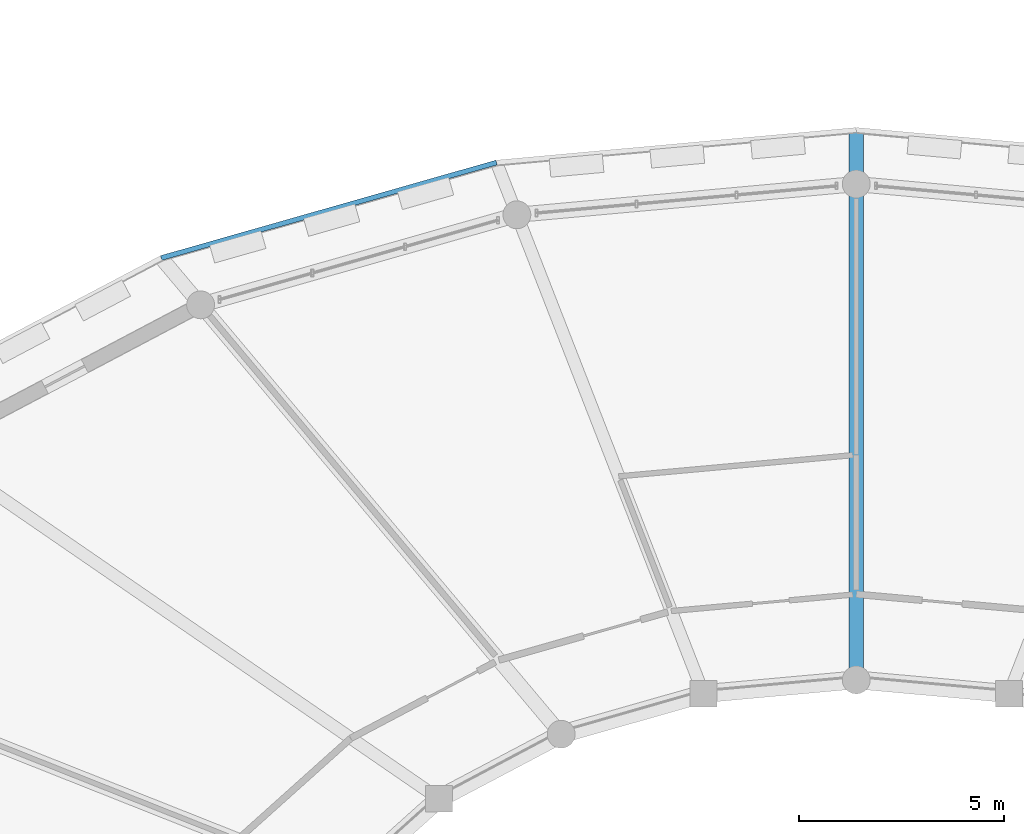
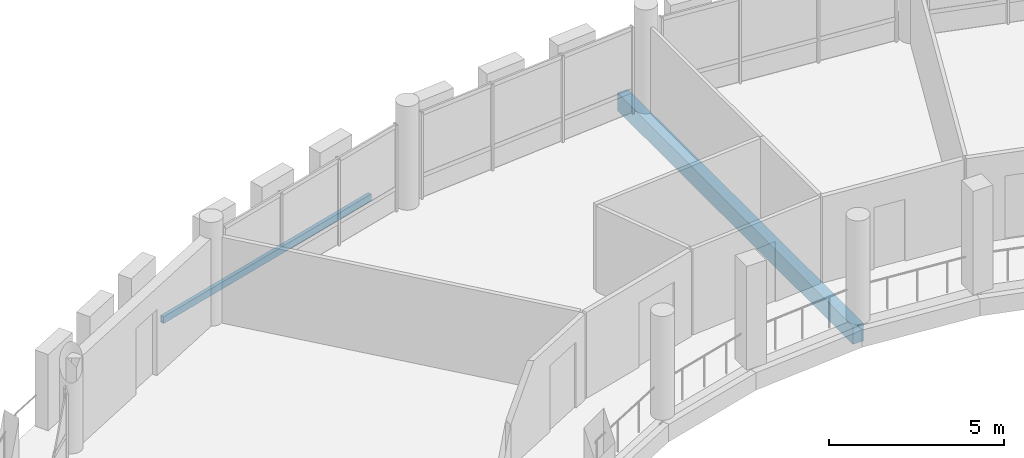
# One storey, part 69 of 128: 2 beams.
"""IFC4 building model written with IfcOpenShell, lengths in metres."""

from ifc_helpers import new_model, si_unit, direction, frame, origin, origin_2d, place, context, subcontext, project, spatial, rectangle, hollow_rectangle, extrude, material, material_profile, profile_set, type_object, element, save


model = new_model("IFC4")

# Units and contexts
model_context = context("Model", 3, precision=1e-05, world=origin(), true_north=direction((0.0, 1.0)))
body_context = subcontext(model_context, "Body", "Model", "MODEL_VIEW")
ifc_project = project(units=[si_unit("LENGTHUNIT", "METRE"), si_unit("AREAUNIT", "SQUARE_METRE"), si_unit("VOLUMEUNIT", "CUBIC_METRE"), si_unit("PLANEANGLEUNIT", "RADIAN"), si_unit("MASSUNIT", "GRAM", prefix="KILO")], contexts=[model_context])

# Site, building, storey
site_placement = place(None, origin())
site = spatial("IfcSite", under=ifc_project, at=site_placement, CompositionType="ELEMENT")
building_placement = place(site_placement, origin())
building = spatial("IfcBuilding", under=site, at=building_placement, Name="Zornivar Specialist Clinic", CompositionType="ELEMENT")
storey_placement = place(building_placement, frame((0.0, 0.0, 4.5)))
storey = spatial("IfcBuildingStorey", under=building, at=storey_placement, Name="L01", CompositionType="ELEMENT", Elevation=4.5)

# Beams
ifc_material_1 = material(Name="Concrete C30/37", Category="concrete")
ifc_material_profile_1 = material_profile(ifc_material_1, rectangle(XDim=0.35009765625, YDim=0.6201171875, at=origin_2d()), Name="RC 350x620")
ifc_profile_set_1 = profile_set([ifc_material_profile_1], Name="Concrete C30/37")
beam_type_1 = type_object("IfcBeamType", Name="BM-RC-CANT-350x620", PredefinedType="BEAM", material=ifc_profile_set_1)
beam_1_placement = place(storey_placement, frame((93.60009765625, 67.5, -0.550048828125), z_axis=(0.0, 1.0, 0.0), x_axis=(-1.0, 0.0, 0.0)))
element("IfcBeam", 1, at=beam_1_placement, inside=storey, type_object=beam_type_1, Name="bm:V1:L01:radcant:06", PredefinedType="BEAM", context=body_context, shape_type="SweptSolid", body=[
    extrude(rectangle(XDim=0.35009765625, YDim=0.6201171875, at=origin_2d()), origin(), (0.0, 0.0, 1.0), 13.419921875),
])
ifc_material_2 = material(Name="Steel S355J2", Category="steel")
ifc_material_profile_2 = material_profile(ifc_material_2, hollow_rectangle(XDim=0.1201171875, YDim=0.239990234375, WallThickness=0.008056640625, at=origin_2d()), Name="RHS 240x120x8")
ifc_profile_set_2 = profile_set([ifc_material_profile_2], Name="Steel S355J2")
beam_type_2 = type_object("IfcBeamType", Name="BM-STL-RHS240", PredefinedType="JOIST", material=ifc_profile_set_2)
beam_2_placement = place(storey_placement, frame((84.821044921875, 80.125, -0.360107421875), z_axis=(-0.961783454314, -0.273811225131, 0.0), x_axis=(0.273811225131, -0.961783454314, 0.0)))
element("IfcBeam", 2, at=beam_2_placement, inside=storey, type_object=beam_type_2, Name="bm:V1:L01:balring:07", PredefinedType="JOIST", context=body_context, shape_type="SweptSolid", body=[
    extrude(hollow_rectangle(XDim=0.1201171875, YDim=0.239990234375, WallThickness=0.008056640625, at=origin_2d()), origin(), (0.0, 0.0, 1.0), 8.50634765625),
])

save(model, "model.ifc")
